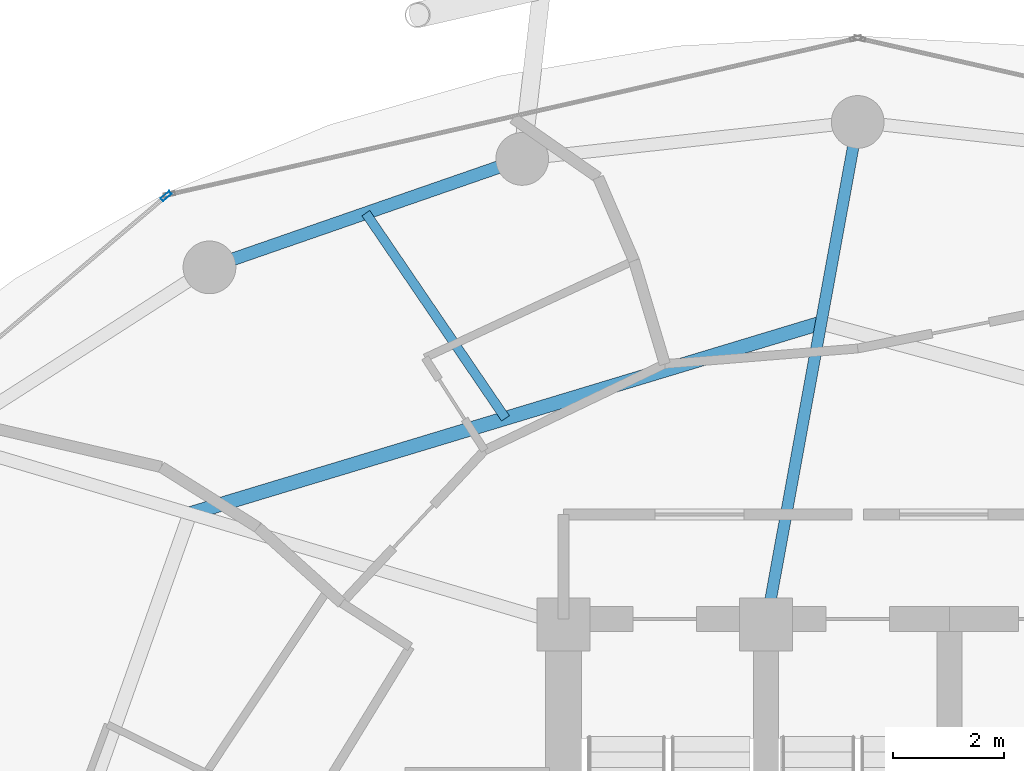
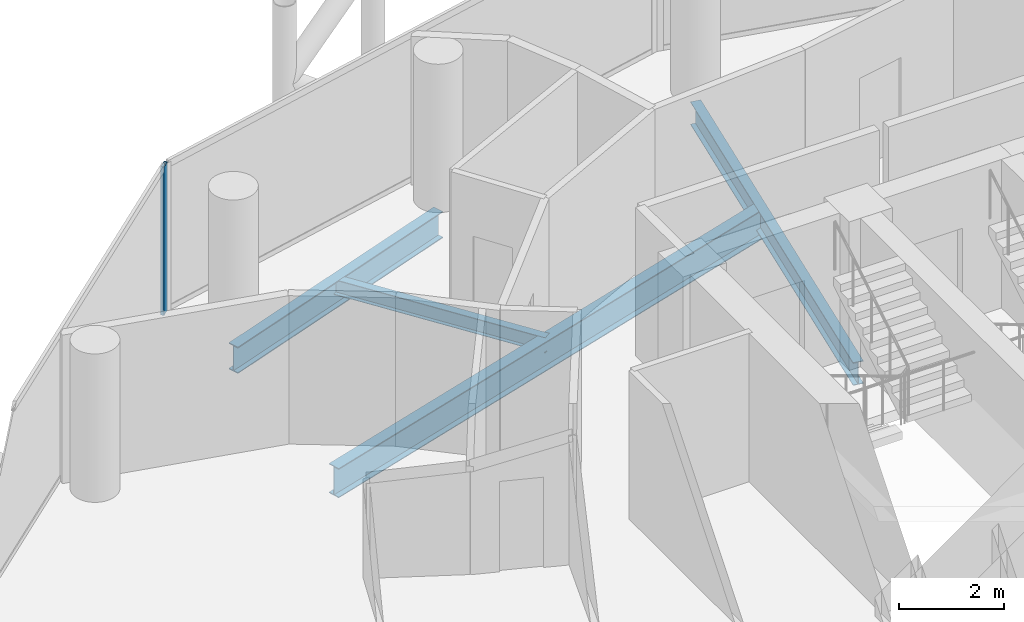
# One storey, part 15 of 26: 4 beams, 1 member, 1 element without a shape of its own.
"""IFC4 building model written with IfcOpenShell, lengths in metres."""

from ifc_helpers import new_model, si_unit, direction, frame, origin, origin_2d, place, context, subcontext, project, spatial, hollow_rectangle, i_section, extrude, material, layer, layer_set, material_profile, profile_set, type_object, element, aggregate, save


model = new_model("IFC4")

# Units and contexts
model_context = context("Model", 3, precision=1e-05, world=origin(), true_north=direction((0.0, 1.0)))
body_context = subcontext(model_context, "Body", "Model", "MODEL_VIEW")
ifc_project = project(units=[si_unit("LENGTHUNIT", "METRE"), si_unit("AREAUNIT", "SQUARE_METRE"), si_unit("VOLUMEUNIT", "CUBIC_METRE"), si_unit("PLANEANGLEUNIT", "RADIAN"), si_unit("MASSUNIT", "GRAM", prefix="KILO")], contexts=[model_context])

# Site, building, storey
site_placement = place(None, origin())
site = spatial("IfcSite", under=ifc_project, at=site_placement, CompositionType="ELEMENT")
building_placement = place(site_placement, origin())
building = spatial("IfcBuilding", under=site, at=building_placement, Name="Nuhasar Tower", CompositionType="ELEMENT")
storey_placement = place(building_placement, frame((0.0, 0.0, 125.64990234375)))
storey = spatial("IfcBuildingStorey", under=building, at=storey_placement, Name="L29", CompositionType="ELEMENT", Elevation=125.64990234375)

# Beams
ifc_material_1 = material(Name="Steel S355", Category="steel")
ifc_material_profile_1 = material_profile(ifc_material_1, i_section(OverallWidth=0.25390625, OverallDepth=0.68408203125, WebThickness=0.012451171875, FlangeThickness=0.018798828125, at=origin_2d()), Name="W27X94")
ifc_profile_set_1 = profile_set([ifc_material_profile_1], Name="Steel S355")
beam_type_1 = type_object("IfcBeamType", Name="BM-INRING-W27X94", PredefinedType="BEAM", material=ifc_profile_set_1)
beam_1_placement = place(storey_placement, frame((38.340087890625, 42.72998046875, -0.591796875), z_axis=(-0.95722440557, -0.289346569673, 0.0), x_axis=(0.289346569673, -0.95722440557, 0.0)))
element("IfcBeam", 1, at=beam_1_placement, inside=storey, type_object=beam_type_1, Name="L29 Inner Header Beam 06", PredefinedType="BEAM", context=body_context, shape_type="SweptSolid", body=[
    extrude(i_section(OverallWidth=0.25390625, OverallDepth=0.68408203125, WebThickness=0.012451171875, FlangeThickness=0.018798828125, at=origin_2d()), origin(), (0.0, 0.0, 1.0), 11.875244140625),
])
ifc_material_profile_2 = material_profile(ifc_material_1, i_section(OverallWidth=0.1708984375, OverallDepth=0.35205078125, WebThickness=0.0068359375, FlangeThickness=0.009765625, at=origin_2d()), Name="W14X30")
ifc_profile_set_2 = profile_set([ifc_material_profile_2], Name="Steel S355")
beam_type_2 = type_object("IfcBeamType", Name="BM-JST-W14X30", PredefinedType="JOIST", material=ifc_profile_set_2)
beam_2_placement = place(storey_placement, frame((32.656982421875, 41.011962890625, -0.42578125), z_axis=(-0.562802886474, 0.826591138941, 0.0), x_axis=(-0.826591138941, -0.562802886474, 0.0)))
element("IfcBeam", 2, at=beam_2_placement, inside=storey, type_object=beam_type_2, Name="L29 Secondary Floor Joist 06", PredefinedType="JOIST", context=body_context, shape_type="SweptSolid", body=[
    extrude(i_section(OverallWidth=0.1708984375, OverallDepth=0.35205078125, WebThickness=0.0068359375, FlangeThickness=0.009765625, at=origin_2d()), origin(), (0.0, 0.0, 1.0), 4.47021484375),
])
ifc_material_profile_3 = material_profile(ifc_material_1, i_section(OverallWidth=0.208984375, OverallDepth=0.532958984375, WebThickness=0.01025390625, FlangeThickness=0.015625, at=origin_2d()), Name="W21X62")
ifc_profile_set_3 = profile_set([ifc_material_profile_3], Name="Steel S355")
beam_type_3 = type_object("IfcBeamType", Name="BM-RAD-W21X62", PredefinedType="BEAM", material=ifc_profile_set_3)
beam_3_placement = place(storey_placement, frame((37.35009765625, 37.300048828125, -0.515869140625), z_axis=(0.179352509513, 0.983784873502, 0.0), x_axis=(-0.983784873502, 0.179352509513, 0.0)))
element("IfcBeam", 3, at=beam_3_placement, inside=storey, type_object=beam_type_3, Name="L29 Radial Floor Girder 06", PredefinedType="BEAM", context=body_context, shape_type="SweptSolid", body=[
    extrude(i_section(OverallWidth=0.208984375, OverallDepth=0.532958984375, WebThickness=0.01025390625, FlangeThickness=0.015625, at=origin_2d()), origin(), (0.0, 0.0, 1.0), 9.19921875),
])
ifc_material_profile_4 = material_profile(ifc_material_1, i_section(OverallWidth=0.22998046875, OverallDepth=0.616943359375, WebThickness=0.01318359375, FlangeThickness=0.022216796875, at=origin_2d()), Name="W24X94")
ifc_profile_set_4 = profile_set([ifc_material_profile_4], Name="Steel S355")
beam_type_4 = type_object("IfcBeamType", Name="BM-RING-W24X94", PredefinedType="SPANDREL", material=ifc_profile_set_4)
beam_4_placement = place(storey_placement, frame((32.95703125, 45.68408203125, -0.557861328125), z_axis=(-0.944801380051, -0.327643636066, 0.0), x_axis=(0.327643636066, -0.944801380051, 0.0)))
element("IfcBeam", 4, at=beam_4_placement, inside=storey, type_object=beam_type_4, Name="L29 Perimeter Ring Spandrel 08", PredefinedType="SPANDREL", context=body_context, shape_type="SweptSolid", body=[
    extrude(i_section(OverallWidth=0.22998046875, OverallDepth=0.616943359375, WebThickness=0.01318359375, FlangeThickness=0.022216796875, at=origin_2d()), origin(), (0.0, 0.0, 1.0), 5.961181640625),
])

# Curtain wall, member
ifc_material_2 = material(Name="Aluminium 6063-T6", Category="aluminium")
ifc_layer = layer(ifc_material_2, 0.199951171875)
ifc_layer_set = layer_set([ifc_layer], Name="Aluminium 6063-T6")
curtain_wall_type = type_object("IfcCurtainWallType", Name="CW-Z2-HTL", PredefinedType="NOTDEFINED", material=ifc_layer_set)
curtain_wall_placement = place(storey_placement, origin())
curtain_wall = element("IfcCurtainWall", 5, at=curtain_wall_placement, inside=storey, type_object=curtain_wall_type, Name="L29 Unitised Curtain Wall 05", PredefinedType="NOTDEFINED")
ifc_material_profile_5 = material_profile(ifc_material_2, hollow_rectangle(XDim=0.070068359375, YDim=0.199951171875, WallThickness=0.0048828125, at=origin_2d()), Name="CWM-3")
ifc_profile_set_5 = profile_set([ifc_material_profile_5], Name="Aluminium 6063-T6")
member_type = type_object("IfcMemberType", Name="CW-MUL-S3", PredefinedType="MULLION", material=ifc_profile_set_5)
member_placement = place(storey_placement, frame((26.543212890625, 45.015380859375, 0.0), z_axis=(0.0, 0.0, 1.0), x_axis=(0.646374438324, -0.763020370292, 0.0)))
member = element("IfcMember", 6, at=member_placement, type_object=member_type, Name="CW-Z2 mullion 1", PredefinedType="MULLION", context=body_context, shape_type="SweptSolid", body=[
    extrude(hollow_rectangle(XDim=0.070068359375, YDim=0.199951171875, WallThickness=0.0048828125, at=origin_2d()), origin(), (0.0, 0.0, 1.0), 3.4501953125),
])
aggregate(curtain_wall, [member])

save(model, "model.ifc")
